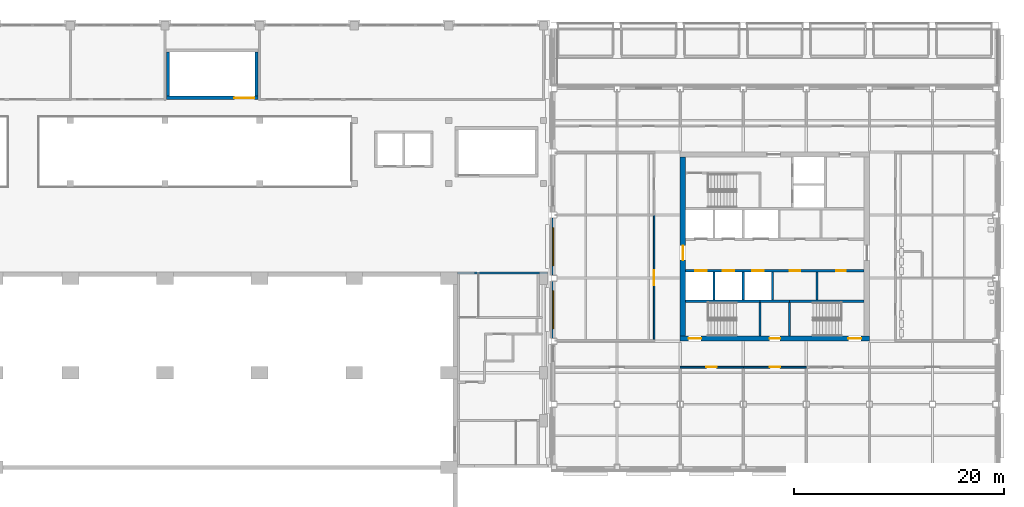
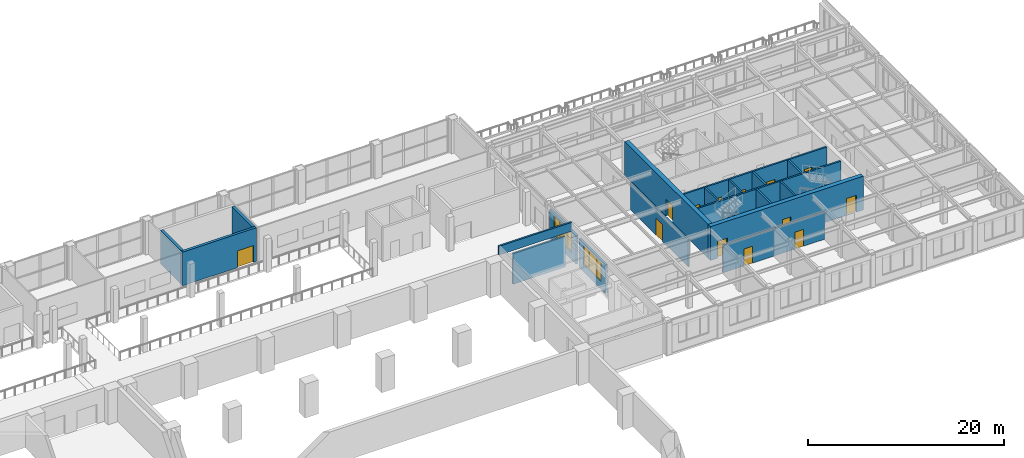
# One storey, part 23 of 39: 22 walls, 13 doors, 2 windows, 15 openings.
"""IFC4 building model written with IfcOpenShell, lengths in metres."""

from ifc_helpers import new_model, si_unit, direction, frame, frame_2d, origin, place, context, subcontext, project, spatial, polyline, rectangle, outline, extrude, material, layer, layer_set, type_object, element, fill, save


model = new_model("IFC4")

# Units and contexts
model_context = context("Model", 3, precision=1e-05, world=origin(), true_north=direction((0.0, 1.0)))
body_context = subcontext(model_context, "Body", "Model", "MODEL_VIEW")
ifc_project = project(units=[si_unit("LENGTHUNIT", "METRE"), si_unit("AREAUNIT", "SQUARE_METRE"), si_unit("VOLUMEUNIT", "CUBIC_METRE"), si_unit("PLANEANGLEUNIT", "RADIAN"), si_unit("MASSUNIT", "GRAM", prefix="KILO")], contexts=[model_context])

# Site, building, storey
site_placement = place(None, origin())
site = spatial("IfcSite", under=ifc_project, at=site_placement, CompositionType="ELEMENT")
building_placement = place(site_placement, origin())
building = spatial("IfcBuilding", under=site, at=building_placement, Name="Aravalli Gate Trade Fair Centre", CompositionType="ELEMENT")
storey_placement = place(building_placement, frame((0.0, 0.0, 15.0)))
storey = spatial("IfcBuildingStorey", under=building, at=storey_placement, Name="L03", CompositionType="ELEMENT", Elevation=15.0)

# Walls
ifc_material_1 = material(Name="Concrete M30", Category="concrete")
ifc_layer_1 = layer(ifc_material_1, 0.2099609375, Name="Reinforced concrete")
ifc_material_2 = material(Name="Terracotta cladding", Category="masonry")
ifc_layer_2 = layer(ifc_material_2, 0.0400390625, Name="Terracotta cladding")
ifc_layer_set_1 = layer_set([ifc_layer_1, ifc_layer_2], Name="Link external wall 250")
wall_type_1 = type_object("IfcWallType", Name="Link external wall 250", PredefinedType="SOLIDWALL", material=ifc_layer_set_1)
wall_1_placement = place(storey_placement, frame((152.449951171875, 109.5, 0.0), z_axis=(0.0, 0.0, 1.0), x_axis=(1.0, 0.0, 0.0)))
element("IfcWall", 1, at=wall_1_placement, inside=storey, type_object=wall_type_1, Name="Link wall N2 L03", PredefinedType="SOLIDWALL", context=body_context, shape_type="SweptSolid", body=[
    extrude(rectangle(XDim=6.150146484375, YDim=0.199951171875, at=frame_2d((3.0751953125, 0.0))), origin(), (0.0, 0.0, 1.0), 3.7900390625),
])
ifc_layer_3 = layer(ifc_material_1, 0.199951171875)
ifc_layer_set_2 = layer_set([ifc_layer_3], Name="Concrete M30")
wall_type_2 = type_object("IfcWallType", Name="Link roof parapet 200", PredefinedType="PARAPET", material=ifc_layer_set_2)
wall_2_placement = place(storey_placement, frame((150.800048828125, 109.5, 4.199951171875), z_axis=(0.0, 0.0, 1.0), x_axis=(1.0, 0.0, 0.0)))
element("IfcWall", 2, at=wall_2_placement, inside=storey, type_object=wall_type_2, Name="Link roof parapet N", PredefinedType="PARAPET", context=body_context, shape_type="SweptSolid", body=[
    extrude(rectangle(XDim=8.599853515625, YDim=0.199951171875, at=frame_2d((4.2998046875, 0.0))), origin(), (0.0, 0.0, 1.0), 1.10009765625),
])

# Wall, opening, door
ifc_material_3 = material(Name="Concrete M40", Category="concrete")
ifc_layer_4 = layer(ifc_material_3, 0.300048828125)
ifc_layer_set_3 = layer_set([ifc_layer_4], Name="Concrete M40")
wall_type_3 = type_object("IfcWallType", Name="RC core wall 300", PredefinedType="SHEAR", material=ifc_layer_set_3)
wall_3_placement = place(storey_placement, frame((123.14990234375, 126.14990234375, 0.0), z_axis=(0.0, 0.0, 1.0), x_axis=(1.0, 0.0, 0.0)))
wall_3 = element("IfcWall", 3, at=wall_3_placement, inside=storey, type_object=wall_type_3, Name="Core wall XES L03", PredefinedType="SHEAR", context=body_context, shape_type="SweptSolid", body=[
    extrude(rectangle(XDim=8.7001953125, YDim=0.300048828125, at=frame_2d((4.35009765625, 0.0))), origin(), (0.0, 0.0, 1.0), 4.199951171875),
])
opening_1_placement = place(wall_3_placement, frame((6.449951171875, 0.0, 0.0)))
opening_1 = element("IfcOpeningElement", 4, at=opening_1_placement, cuts=wall_3, Name="Opening C-L03-11", PredefinedType="OPENING", context=body_context, shape_type="SweptSolid", body=[
    extrude(rectangle(XDim=1.89990234375, YDim=2.10009765625, at=frame_2d((0.949951171875, 1.050048828125))), frame((0.0, 0.159912109375, 0.0), z_axis=(0.0, -1.0, 0.0), x_axis=(1.0, 0.0, 0.0)), (0.0, 0.0, 1.0), 0.320068359375),
])
ifc_material_4 = material(Name="Steel, fire rated", Category="steel")
door_type_1 = type_object("IfcDoorType", Name="Concourse stair door 1900 x 2100", OperationType="DOUBLE_DOOR_SINGLE_SWING", PredefinedType="NOTDEFINED", material=ifc_material_4)
door_1_placement = place(opening_1_placement, origin())
door_1 = element("IfcDoor", 5, at=door_1_placement, inside=storey, type_object=door_type_1, Name="Stair door XE L03", OperationType="DOUBLE_DOOR_SINGLE_SWING", OverallHeight=2.10009765625, OverallWidth=1.89990234375, PredefinedType="NOTDEFINED", context=body_context, shape_type="SweptSolid", body=[
    extrude(rectangle(XDim=1.89990234375, YDim=2.10009765625, at=frame_2d((0.949951171875, 1.050048828125))), frame((0.0, 0.02490234375, 0.0), z_axis=(0.0, -1.0, 0.0), x_axis=(1.0, 0.0, 0.0)), (0.0, 0.0, 1.0), 0.050048828125),
])
fill(opening_1, door_1)

# Walls
for number, where, z_axis, x_axis, name in (
    (6, (123.300048828125, 126.300048828125, 0.0), (0.0, 0.0, 1.0), (0.0, 1.0, 0.0), "Core wall XEW L03"),
    (7, (131.699951171875, 126.300048828125, 0.0), (0.0, 0.0, 1.0), (0.0, 1.0, 0.0), "Core wall XEE L03"),
):
    element("IfcWall", number, at=place(storey_placement, frame(where, z_axis=z_axis, x_axis=x_axis)), inside=storey, type_object=wall_type_3, Name=name, PredefinedType="SHEAR", context=body_context, shape_type="SweptSolid", body=[
        extrude(rectangle(XDim=4.199951171875, YDim=0.300048828125, at=frame_2d((2.10009765625, 0.0))), origin(), (0.0, 0.0, 1.0), 4.199951171875),
    ])
ifc_layer_5 = layer(ifc_material_1, 0.199951171875)
ifc_layer_set_4 = layer_set([ifc_layer_5], Name="Concrete M30")
wall_type_4 = type_object("IfcWallType", Name="Wing core internal wall 200 (EI 120, lift shaft)", PredefinedType="SOLIDWALL", material=ifc_layer_set_4)
wall_4_placement = place(storey_placement, frame((172.5, 106.800048828125, 0.0), z_axis=(0.0, 0.0, 1.0), x_axis=(1.0, 0.0, 0.0)))
element("IfcWall", 8, at=wall_4_placement, inside=storey, type_object=wall_type_4, Name="Core wall S-REAR-W L03", PredefinedType="SOLIDWALL", context=body_context, shape_type="SweptSolid", body=[
    extrude(rectangle(XDim=7.10009765625, YDim=0.199951171875, at=frame_2d((3.550048828125, 0.0))), origin(), (0.0, 0.0, 1.0), 4.0),
])
wall_5_placement = place(storey_placement, frame((179.60009765625, 106.800048828125, 0.0), z_axis=(0.0, 0.0, 1.0), x_axis=(1.0, 0.0, 0.0)))
element("IfcWall", 9, at=wall_5_placement, inside=storey, type_object=wall_type_4, Name="Core wall S-REAR-M L03", PredefinedType="SOLIDWALL", context=body_context, shape_type="SweptSolid", body=[
    extrude(rectangle(XDim=2.7998046875, YDim=0.199951171875, at=frame_2d((1.39990234375, 0.0))), origin(), (0.0, 0.0, 1.0), 4.0),
])
wall_6_placement = place(storey_placement, frame((182.39990234375, 106.800048828125, 0.0), z_axis=(0.0, 0.0, 1.0), x_axis=(1.0, 0.0, 0.0)))
element("IfcWall", 10, at=wall_6_placement, inside=storey, type_object=wall_type_4, Name="Core wall S-REAR-E L03", PredefinedType="SOLIDWALL", context=body_context, shape_type="SweptSolid", body=[
    extrude(rectangle(XDim=7.10009765625, YDim=0.199951171875, at=frame_2d((3.550048828125, 0.0))), origin(), (0.0, 0.0, 1.0), 4.0),
])
for number, where, z_axis, x_axis, name in (
    (11, (175.199951171875, 106.89990234375, 0.0), (0.0, 0.0, 1.0), (0.0, 1.0, 0.0), "Core wall SB-3.2 L03"),
    (12, (178.0, 106.89990234375, 0.0), (0.0, 0.0, 1.0), (0.0, 1.0, 0.0), "Core wall SB-6.0 L03"),
    (13, (180.800048828125, 106.89990234375, 0.0), (0.0, 0.0, 1.0), (0.0, 1.0, 0.0), "Core wall SB-8.8 L03"),
):
    element("IfcWall", number, at=place(storey_placement, frame(where, z_axis=z_axis, x_axis=x_axis)), inside=storey, type_object=wall_type_4, Name=name, PredefinedType="SOLIDWALL", context=body_context, shape_type="SweptSolid", body=[
        extrude(rectangle(XDim=2.7001953125, YDim=0.199951171875, at=frame_2d((1.35009765625, 0.0))), origin(), (0.0, 0.0, 1.0), 4.0),
    ])

# Wall, openings, doors
wall_7_placement = place(storey_placement, frame((172.5, 109.699951171875, 0.0), z_axis=(0.0, 0.0, 1.0), x_axis=(1.0, 0.0, 0.0)))
wall_7 = element("IfcWall", 14, at=wall_7_placement, inside=storey, type_object=wall_type_4, Name="Core wall S-FRONT L03", PredefinedType="SOLIDWALL", context=body_context, shape_type="SweptSolid", body=[
    extrude(rectangle(XDim=17.0, YDim=0.199951171875, at=frame_2d((8.5, 0.0))), origin(), (0.0, 0.0, 1.0), 4.0),
])
opening_2_placement = place(wall_7_placement, frame((0.949951171875, 0.0, 0.0)))
opening_2 = element("IfcOpeningElement", 15, at=opening_2_placement, cuts=wall_7, Name="Opening T-L03-111", PredefinedType="OPENING", context=body_context, shape_type="SweptSolid", body=[
    extrude(rectangle(XDim=1.10009765625, YDim=2.10009765625, at=frame_2d((0.550048828125, 1.050048828125))), frame((0.0, 0.10986328125, 0.0), z_axis=(0.0, -1.0, 0.0), x_axis=(1.0, 0.0, 0.0)), (0.0, 0.0, 1.0), 0.219970703125),
])
opening_3_placement = place(wall_7_placement, frame((3.550048828125, 0.0, 0.0)))
opening_3 = element("IfcOpeningElement", 16, at=opening_3_placement, cuts=wall_7, Name="Opening T-L03-112", PredefinedType="OPENING", context=body_context, shape_type="SweptSolid", body=[
    extrude(rectangle(XDim=1.10009765625, YDim=2.10009765625, at=frame_2d((0.550048828125, 1.050048828125))), frame((0.0, 0.10986328125, 0.0), z_axis=(0.0, -1.0, 0.0), x_axis=(1.0, 0.0, 0.0)), (0.0, 0.0, 1.0), 0.219970703125),
])
opening_4_placement = place(wall_7_placement, frame((6.35009765625, 0.0, 0.0)))
opening_4 = element("IfcOpeningElement", 17, at=opening_4_placement, cuts=wall_7, Name="Opening T-L03-113", PredefinedType="OPENING", context=body_context, shape_type="SweptSolid", body=[
    extrude(rectangle(XDim=1.10009765625, YDim=2.10009765625, at=frame_2d((0.550048828125, 1.050048828125))), frame((0.0, 0.10986328125, 0.0), z_axis=(0.0, -1.0, 0.0), x_axis=(1.0, 0.0, 0.0)), (0.0, 0.0, 1.0), 0.219970703125),
])
opening_5_placement = place(wall_7_placement, frame((9.89990234375, 0.0, 0.0)))
opening_5 = element("IfcOpeningElement", 18, at=opening_5_placement, cuts=wall_7, Name="Opening T-L03-114", PredefinedType="OPENING", context=body_context, shape_type="SweptSolid", body=[
    extrude(rectangle(XDim=1.0, YDim=2.10009765625, at=frame_2d((0.5, 1.050048828125))), frame((0.0, 0.10986328125, 0.0), z_axis=(0.0, -1.0, 0.0), x_axis=(1.0, 0.0, 0.0)), (0.0, 0.0, 1.0), 0.219970703125),
])
opening_6_placement = place(wall_7_placement, frame((14.35009765625, 0.0, 0.0)))
opening_6 = element("IfcOpeningElement", 19, at=opening_6_placement, cuts=wall_7, Name="Opening T-L03-115", PredefinedType="OPENING", context=body_context, shape_type="SweptSolid", body=[
    extrude(rectangle(XDim=0.89990234375, YDim=2.10009765625, at=frame_2d((0.449951171875, 1.050048828125))), frame((0.0, 0.10986328125, 0.0), z_axis=(0.0, -1.0, 0.0), x_axis=(1.0, 0.0, 0.0)), (0.0, 0.0, 1.0), 0.219970703125),
])
door_type_2 = type_object("IfcDoorType", Name="Wing fire door FD120 1000 x 2100", OperationType="SINGLE_SWING_LEFT", PredefinedType="DOOR", material=ifc_material_4)
door_2_placement = place(opening_5_placement, frame((1.0, 0.0, 0.0), z_axis=(0.0, 0.0, 1.0), x_axis=(-1.0, 0.0, 0.0)))
door_2 = element("IfcDoor", 20, at=door_2_placement, inside=storey, type_object=door_type_2, Name="Core door T-L03-114", OperationType="SINGLE_SWING_RIGHT", OverallHeight=2.10009765625, OverallWidth=1.0, PredefinedType="DOOR", context=body_context, shape_type="SweptSolid", body=[
    extrude(rectangle(XDim=1.0, YDim=2.10009765625, at=frame_2d((0.5, 1.050048828125))), frame((0.0, 0.02490234375, 0.0), z_axis=(0.0, -1.0, 0.0), x_axis=(1.0, 0.0, 0.0)), (0.0, 0.0, 1.0), 0.050048828125),
])
fill(opening_5, door_2)
door_type_3 = type_object("IfcDoorType", Name="Wing fire door FD120 900 x 2100", OperationType="SINGLE_SWING_LEFT", PredefinedType="DOOR", material=ifc_material_4)
door_3_placement = place(opening_6_placement, frame((0.89990234375, 0.0, 0.0), z_axis=(0.0, 0.0, 1.0), x_axis=(-1.0, 0.0, 0.0)))
door_3 = element("IfcDoor", 21, at=door_3_placement, inside=storey, type_object=door_type_3, Name="Core door T-L03-115", OperationType="SINGLE_SWING_LEFT", OverallHeight=2.10009765625, OverallWidth=0.89990234375, PredefinedType="DOOR", context=body_context, shape_type="SweptSolid", body=[
    extrude(rectangle(XDim=0.89990234375, YDim=2.10009765625, at=frame_2d((0.449951171875, 1.050048828125))), frame((0.0, 0.02490234375, 0.0), z_axis=(0.0, -1.0, 0.0), x_axis=(1.0, 0.0, 0.0)), (0.0, 0.0, 1.0), 0.050048828125),
])
fill(opening_6, door_3)
ifc_material_5 = material(Name="Elevator door panels")
door_type_4 = type_object("IfcDoorType", Name="Wing lift landing door 1100 x 2100", OperationType="SLIDING_TO_LEFT", PredefinedType="DOOR", material=ifc_material_5)
door_4_placement = place(opening_2_placement, origin())
door_4 = element("IfcDoor", 22, at=door_4_placement, inside=storey, type_object=door_type_4, Name="Landing door T-L03-111", OperationType="SLIDING_TO_LEFT", OverallHeight=2.10009765625, OverallWidth=1.10009765625, PredefinedType="DOOR", context=body_context, shape_type="SweptSolid", body=[
    extrude(rectangle(XDim=1.10009765625, YDim=2.10009765625, at=frame_2d((0.550048828125, 1.050048828125))), frame((0.0, 0.02490234375, 0.0), z_axis=(0.0, -1.0, 0.0), x_axis=(1.0, 0.0, 0.0)), (0.0, 0.0, 1.0), 0.050048828125),
])
fill(opening_2, door_4)
door_5_placement = place(opening_3_placement, origin())
door_5 = element("IfcDoor", 23, at=door_5_placement, inside=storey, type_object=door_type_4, Name="Landing door T-L03-112", OperationType="SLIDING_TO_LEFT", OverallHeight=2.10009765625, OverallWidth=1.10009765625, PredefinedType="DOOR", context=body_context, shape_type="SweptSolid", body=[
    extrude(rectangle(XDim=1.10009765625, YDim=2.10009765625, at=frame_2d((0.550048828125, 1.050048828125))), frame((0.0, 0.02490234375, 0.0), z_axis=(0.0, -1.0, 0.0), x_axis=(1.0, 0.0, 0.0)), (0.0, 0.0, 1.0), 0.050048828125),
])
fill(opening_3, door_5)
door_6_placement = place(opening_4_placement, origin())
door_6 = element("IfcDoor", 24, at=door_6_placement, inside=storey, type_object=door_type_4, Name="Landing door T-L03-113", OperationType="SLIDING_TO_LEFT", OverallHeight=2.10009765625, OverallWidth=1.10009765625, PredefinedType="DOOR", context=body_context, shape_type="SweptSolid", body=[
    extrude(rectangle(XDim=1.10009765625, YDim=2.10009765625, at=frame_2d((0.550048828125, 1.050048828125))), frame((0.0, 0.02490234375, 0.0), z_axis=(0.0, -1.0, 0.0), x_axis=(1.0, 0.0, 0.0)), (0.0, 0.0, 1.0), 0.050048828125),
])
fill(opening_4, door_6)

# Walls
ifc_material_6 = material(Name="Concrete block masonry", Category="masonry")
ifc_layer_6 = layer(ifc_material_6, 0.199951171875)
ifc_layer_set_5 = layer_set([ifc_layer_6], Name="Concrete block masonry")
wall_type_5 = type_object("IfcWallType", Name="Wing core internal wall 200 (EI 120, riser shaft)", PredefinedType="SOLIDWALL", material=ifc_layer_set_5)
wall_8_placement = place(storey_placement, frame((185.0, 106.89990234375, 0.0), z_axis=(0.0, 0.0, 1.0), x_axis=(0.0, 1.0, 0.0)))
element("IfcWall", 25, at=wall_8_placement, inside=storey, type_object=wall_type_5, Name="Core wall SB-13 L03", PredefinedType="SOLIDWALL", context=body_context, shape_type="SweptSolid", body=[
    extrude(rectangle(XDim=2.7001953125, YDim=0.199951171875, at=frame_2d((1.35009765625, 0.0))), origin(), (0.0, 0.0, 1.0), 4.0),
])
ifc_layer_7 = layer(ifc_material_1, 0.199951171875)
ifc_layer_set_6 = layer_set([ifc_layer_7], Name="Concrete M30")
wall_type_6 = type_object("IfcWallType", Name="Wing core internal wall 200 (EI 120, stair enclosure)", PredefinedType="SOLIDWALL", material=ifc_layer_set_6)
for number, where, z_axis, x_axis, name in (
    (26, (179.60009765625, 103.5, 0.0), (0.0, 0.0, 1.0), (0.0, 1.0, 0.0), "Core wall S-AB L03"),
    (27, (182.39990234375, 103.5, 0.0), (0.0, 0.0, 1.0), (0.0, 1.0, 0.0), "Core wall S-BC L03"),
):
    element("IfcWall", number, at=place(storey_placement, frame(where, z_axis=z_axis, x_axis=x_axis)), inside=storey, type_object=wall_type_6, Name=name, PredefinedType="SOLIDWALL", context=body_context, shape_type="SweptSolid", body=[
        extrude(rectangle(XDim=3.199951171875, YDim=0.199951171875, at=frame_2d((1.60009765625, 0.0))), origin(), (0.0, 0.0, 1.0), 4.0),
    ])

# Wall, openings, doors
ifc_material_7 = material(Name="Concrete M50", Category="concrete")
ifc_layer_8 = layer(ifc_material_7, 0.5)
ifc_layer_set_7 = layer_set([ifc_layer_8], Name="Concrete M50")
wall_type_7 = type_object("IfcWallType", Name="Wing core shear wall 500", PredefinedType="SHEAR", material=ifc_layer_set_7)
wall_9_placement = place(storey_placement, frame((172.0, 103.25, 0.0), z_axis=(0.0, 0.0, 1.0), x_axis=(1.0, 0.0, 0.0)))
wall_9 = element("IfcWall", 28, at=wall_9_placement, inside=storey, type_object=wall_type_7, Name="Core wall S L03", PredefinedType="SHEAR", context=body_context, shape_type="SweptSolid", body=[
    extrude(rectangle(XDim=18.0, YDim=0.5, at=frame_2d((9.0, 0.0))), origin(), (0.0, 0.0, 1.0), 4.199951171875),
])
opening_7_placement = place(wall_9_placement, frame((8.5, 0.0, 0.0)))
opening_7 = element("IfcOpeningElement", 29, at=opening_7_placement, cuts=wall_9, Name="Opening T-L03-102", PredefinedType="OPENING", context=body_context, shape_type="SweptSolid", body=[
    extrude(rectangle(XDim=1.0, YDim=2.10009765625, at=frame_2d((0.5, 1.050048828125))), frame((0.0, 0.260009765625, 0.0), z_axis=(0.0, -1.0, 0.0), x_axis=(1.0, 0.0, 0.0)), (0.0, 0.0, 1.0), 0.52001953125),
])
opening_8_placement = place(wall_9_placement, frame((0.800048828125, 0.0, 0.0)))
opening_8 = element("IfcOpeningElement", 30, at=opening_8_placement, cuts=wall_9, Name="Opening T-L03-101", PredefinedType="OPENING", context=body_context, shape_type="SweptSolid", body=[
    extrude(rectangle(XDim=1.199951171875, YDim=2.10009765625, at=frame_2d((0.60009765625, 1.050048828125))), frame((0.0, 0.260009765625, 0.0), z_axis=(0.0, -1.0, 0.0), x_axis=(1.0, 0.0, 0.0)), (0.0, 0.0, 1.0), 0.52001953125),
])
opening_9_placement = place(wall_9_placement, frame((16.0, 0.0, 0.0)))
opening_9 = element("IfcOpeningElement", 31, at=opening_9_placement, cuts=wall_9, Name="Opening T-L03-103", PredefinedType="OPENING", context=body_context, shape_type="SweptSolid", body=[
    extrude(rectangle(XDim=1.199951171875, YDim=2.10009765625, at=frame_2d((0.60009765625, 1.050048828125))), frame((0.0, 0.260009765625, 0.0), z_axis=(0.0, -1.0, 0.0), x_axis=(1.0, 0.0, 0.0)), (0.0, 0.0, 1.0), 0.52001953125),
])
door_7_placement = place(opening_7_placement, origin())
door_7 = element("IfcDoor", 32, at=door_7_placement, inside=storey, type_object=door_type_2, Name="Core door T-L03-102", OperationType="SINGLE_SWING_LEFT", OverallHeight=2.10009765625, OverallWidth=1.0, PredefinedType="DOOR", context=body_context, shape_type="SweptSolid", body=[
    extrude(rectangle(XDim=1.0, YDim=2.10009765625, at=frame_2d((0.5, 1.050048828125))), frame((0.0, 0.02490234375, 0.0), z_axis=(0.0, -1.0, 0.0), x_axis=(1.0, 0.0, 0.0)), (0.0, 0.0, 1.0), 0.050048828125),
])
fill(opening_7, door_7)
door_type_5 = type_object("IfcDoorType", Name="Wing fire door FD120 1200 x 2100", OperationType="SINGLE_SWING_LEFT", PredefinedType="DOOR", material=ifc_material_4)
door_8_placement = place(opening_8_placement, origin())
door_8 = element("IfcDoor", 33, at=door_8_placement, inside=storey, type_object=door_type_5, Name="Core door T-L03-101", OperationType="SINGLE_SWING_LEFT", OverallHeight=2.10009765625, OverallWidth=1.199951171875, PredefinedType="DOOR", context=body_context, shape_type="SweptSolid", body=[
    extrude(rectangle(XDim=1.199951171875, YDim=2.10009765625, at=frame_2d((0.60009765625, 1.050048828125))), frame((0.0, 0.02490234375, 0.0), z_axis=(0.0, -1.0, 0.0), x_axis=(1.0, 0.0, 0.0)), (0.0, 0.0, 1.0), 0.050048828125),
])
fill(opening_8, door_8)
door_9_placement = place(opening_9_placement, origin())
door_9 = element("IfcDoor", 34, at=door_9_placement, inside=storey, type_object=door_type_5, Name="Core door T-L03-103", OperationType="SINGLE_SWING_RIGHT", OverallHeight=2.10009765625, OverallWidth=1.199951171875, PredefinedType="DOOR", context=body_context, shape_type="SweptSolid", body=[
    extrude(rectangle(XDim=1.199951171875, YDim=2.10009765625, at=frame_2d((0.60009765625, 1.050048828125))), frame((0.0, 0.02490234375, 0.0), z_axis=(0.0, -1.0, 0.0), x_axis=(1.0, 0.0, 0.0)), (0.0, 0.0, 1.0), 0.050048828125),
])
fill(opening_9, door_9)

# Wall, opening, door
wall_10_placement = place(storey_placement, frame((172.25, 103.5, 0.0), z_axis=(0.0, 0.0, 1.0), x_axis=(0.0, 1.0, 0.0)))
wall_10 = element("IfcWall", 35, at=wall_10_placement, inside=storey, type_object=wall_type_7, Name="Core wall W L03", PredefinedType="SHEAR", context=body_context, shape_type="SweptSolid", body=[
    extrude(rectangle(XDim=17.0, YDim=0.5, at=frame_2d((8.5, 0.0))), origin(), (0.0, 0.0, 1.0), 4.199951171875),
])
opening_10_placement = place(wall_10_placement, frame((7.199951171875, 0.0, 0.0)))
opening_10 = element("IfcOpeningElement", 36, at=opening_10_placement, cuts=wall_10, Name="Opening T-L03-106", PredefinedType="OPENING", context=body_context, shape_type="SweptSolid", body=[
    extrude(rectangle(XDim=1.39990234375, YDim=2.10009765625, at=frame_2d((0.699951171875, 1.050048828125))), frame((0.0, 0.260009765625, 0.0), z_axis=(0.0, -1.0, 0.0), x_axis=(1.0, 0.0, 0.0)), (0.0, 0.0, 1.0), 0.52001953125),
])
door_type_6 = type_object("IfcDoorType", Name="Wing fire door FD120 1400 x 2100", OperationType="DOUBLE_DOOR_SINGLE_SWING", PredefinedType="DOOR", material=ifc_material_4)
door_10_placement = place(opening_10_placement, origin())
door_10 = element("IfcDoor", 37, at=door_10_placement, inside=storey, type_object=door_type_6, Name="Core door T-L03-106", OperationType="DOUBLE_DOOR_SINGLE_SWING", OverallHeight=2.10009765625, OverallWidth=1.39990234375, PredefinedType="DOOR", context=body_context, shape_type="SweptSolid", body=[
    extrude(rectangle(XDim=1.39990234375, YDim=2.10009765625, at=frame_2d((0.699951171875, 1.050048828125))), frame((0.0, 0.02490234375, 0.0), z_axis=(0.0, -1.0, 0.0), x_axis=(1.0, 0.0, 0.0)), (0.0, 0.0, 1.0), 0.050048828125),
])
fill(opening_10, door_10)

ifc_material_8 = material(Name="Blockwork with fire-rated lining", Category="masonry")
ifc_layer_9 = layer(ifc_material_8, 0.14990234375)
ifc_layer_set_8 = layer_set([ifc_layer_9], Name="Blockwork with fire-rated lining")
wall_type_8 = type_object("IfcWallType", Name="Wing partition 150 (EI 60, corridor wall)", PredefinedType="PARTITIONING", material=ifc_layer_set_8)
wall_11_placement = place(storey_placement, frame((172.0, 100.52490234375, 0.0), z_axis=(0.0, 0.0, 1.0), x_axis=(1.0, 0.0, 0.0)))
wall_11 = element("IfcWall", 38, at=wall_11_placement, inside=storey, type_object=wall_type_8, Name="Partition SW2 L03", PredefinedType="PARTITIONING", context=body_context, shape_type="SweptSolid", body=[
    extrude(rectangle(XDim=6.0, YDim=0.14990234375, at=frame_2d((3.0, 0.0))), origin(), (0.0, 0.0, 1.0), 3.39990234375),
])
opening_11_placement = place(wall_11_placement, frame((2.5, 0.0, 0.0)))
opening_11 = element("IfcOpeningElement", 39, at=opening_11_placement, cuts=wall_11, Name="Opening T-L03-142", PredefinedType="OPENING", context=body_context, shape_type="SweptSolid", body=[
    extrude(rectangle(XDim=1.0, YDim=2.10009765625, at=frame_2d((0.5, 1.050048828125))), frame((0.0, 0.0849609375, 0.0), z_axis=(0.0, -1.0, 0.0), x_axis=(1.0, 0.0, 0.0)), (0.0, 0.0, 1.0), 0.169921875),
])
door_type_7 = type_object("IfcDoorType", Name="Wing fire door FD60 1000 x 2100", OperationType="SINGLE_SWING_LEFT", PredefinedType="DOOR", material=ifc_material_4)
door_11_placement = place(opening_11_placement, frame((1.0, 0.0, 0.0), z_axis=(0.0, 0.0, 1.0), x_axis=(-1.0, 0.0, 0.0)))
door_11 = element("IfcDoor", 40, at=door_11_placement, inside=storey, type_object=door_type_7, Name="Door T-L03-142", OperationType="SINGLE_SWING_LEFT", OverallHeight=2.10009765625, OverallWidth=1.0, PredefinedType="DOOR", context=body_context, shape_type="SweptSolid", body=[
    extrude(rectangle(XDim=1.0, YDim=2.10009765625, at=frame_2d((0.5, 1.050048828125))), frame((0.0, 0.02490234375, 0.0), z_axis=(0.0, -1.0, 0.0), x_axis=(1.0, 0.0, 0.0)), (0.0, 0.0, 1.0), 0.050048828125),
])
fill(opening_11, door_11)

wall_12_placement = place(storey_placement, frame((178.0, 100.52490234375, 0.0), z_axis=(0.0, 0.0, 1.0), x_axis=(1.0, 0.0, 0.0)))
wall_12 = element("IfcWall", 41, at=wall_12_placement, inside=storey, type_object=wall_type_8, Name="Partition SW3 L03", PredefinedType="PARTITIONING", context=body_context, shape_type="SweptSolid", body=[
    extrude(rectangle(XDim=6.0, YDim=0.14990234375, at=frame_2d((3.0, 0.0))), origin(), (0.0, 0.0, 1.0), 3.39990234375),
])
opening_12_placement = place(wall_12_placement, frame((2.5, 0.0, 0.0)))
opening_12 = element("IfcOpeningElement", 42, at=opening_12_placement, cuts=wall_12, Name="Opening T-L03-143", PredefinedType="OPENING", context=body_context, shape_type="SweptSolid", body=[
    extrude(rectangle(XDim=1.0, YDim=2.10009765625, at=frame_2d((0.5, 1.050048828125))), frame((0.0, 0.0849609375, 0.0), z_axis=(0.0, -1.0, 0.0), x_axis=(1.0, 0.0, 0.0)), (0.0, 0.0, 1.0), 0.169921875),
])
door_12_placement = place(opening_12_placement, frame((1.0, 0.0, 0.0), z_axis=(0.0, 0.0, 1.0), x_axis=(-1.0, 0.0, 0.0)))
door_12 = element("IfcDoor", 43, at=door_12_placement, inside=storey, type_object=door_type_7, Name="Door T-L03-143", OperationType="SINGLE_SWING_RIGHT", OverallHeight=2.10009765625, OverallWidth=1.0, PredefinedType="DOOR", context=body_context, shape_type="SweptSolid", body=[
    extrude(rectangle(XDim=1.0, YDim=2.10009765625, at=frame_2d((0.5, 1.050048828125))), frame((0.0, 0.02490234375, 0.0), z_axis=(0.0, -1.0, 0.0), x_axis=(1.0, 0.0, 0.0)), (0.0, 0.0, 1.0), 0.050048828125),
])
fill(opening_12, door_12)

wall_13_placement = place(storey_placement, frame((169.52490234375, 103.14990234375, 0.0), z_axis=(0.0, 0.0, 1.0), x_axis=(0.0, 1.0, 0.0)))
wall_13 = element("IfcWall", 44, at=wall_13_placement, inside=storey, type_object=wall_type_8, Name="Partition WW1 L03", PredefinedType="PARTITIONING", context=body_context, shape_type="SweptSolid", body=[
    extrude(rectangle(XDim=11.85009765625, YDim=0.14990234375, at=frame_2d((5.925048828125, 0.0))), origin(), (0.0, 0.0, 1.0), 3.39990234375),
])
opening_13_placement = place(wall_13_placement, frame((5.1875, 0.0, 0.0)))
opening_13 = element("IfcOpeningElement", 45, at=opening_13_placement, cuts=wall_13, Name="Opening T-L03-153", PredefinedType="OPENING", context=body_context, shape_type="SweptSolid", body=[
    extrude(rectangle(XDim=1.39990234375, YDim=2.10009765625, at=frame_2d((0.699951171875, 1.050048828125))), frame((0.0, 0.0849609375, 0.0), z_axis=(0.0, -1.0, 0.0), x_axis=(1.0, 0.0, 0.0)), (0.0, 0.0, 1.0), 0.169921875),
])
door_type_8 = type_object("IfcDoorType", Name="Wing fire door FD60 1400 x 2100", OperationType="DOUBLE_DOOR_SINGLE_SWING", PredefinedType="DOOR", material=ifc_material_4)
door_13_placement = place(opening_13_placement, origin())
door_13 = element("IfcDoor", 46, at=door_13_placement, inside=storey, type_object=door_type_8, Name="Door T-L03-153", OperationType="DOUBLE_DOOR_SINGLE_SWING", OverallHeight=2.10009765625, OverallWidth=1.39990234375, PredefinedType="DOOR", context=body_context, shape_type="SweptSolid", body=[
    extrude(rectangle(XDim=1.39990234375, YDim=2.10009765625, at=frame_2d((0.699951171875, 1.050048828125))), frame((0.0, 0.02490234375, 0.0), z_axis=(0.0, -1.0, 0.0), x_axis=(1.0, 0.0, 0.0)), (0.0, 0.0, 1.0), 0.050048828125),
])
fill(opening_13, door_13)

# Wall, opening, window
ifc_layer_10 = layer(ifc_material_6, 0.2099609375, Name="Block masonry")
ifc_layer_11 = layer(ifc_material_2, 0.0400390625, Name="Terracotta cladding")
ifc_layer_set_9 = layer_set([ifc_layer_10, ifc_layer_11], Name="Wing west closing wall 250")
wall_type_9 = type_object("IfcWallType", Name="Wing west closing wall 250", PredefinedType="SOLIDWALL", material=ifc_layer_set_9)
wall_14_placement = place(storey_placement, frame((159.925048828125, 103.27490234375, 0.0), z_axis=(0.0, 0.0, 1.0), x_axis=(0.0, 1.0, 0.0)))
wall_14 = element("IfcWall", 47, at=wall_14_placement, inside=storey, type_object=wall_type_9, Name="Facade wall W2 L03", PredefinedType="SOLIDWALL", context=body_context, shape_type="SweptSolid", body=[
    extrude(rectangle(XDim=5.4501953125, YDim=0.25, at=frame_2d((2.72509765625, 0.0))), origin(), (0.0, 0.0, 1.0), 3.550048828125),
])
opening_14_placement = place(wall_14_placement, frame((0.925048828125, 0.0, 0.89990234375)))
opening_14 = element("IfcOpeningElement", 48, at=opening_14_placement, cuts=wall_14, Name="Opening TWN1", PredefinedType="OPENING", context=body_context, shape_type="SweptSolid", body=[
    extrude(rectangle(XDim=3.60009765625, YDim=2.39990234375, at=frame_2d((1.800048828125, 1.199951171875))), frame((0.0, 0.135009765625, 0.0), z_axis=(0.0, -1.0, 0.0), x_axis=(1.0, 0.0, 0.0)), (0.0, 0.0, 1.0), 0.27001953125),
])
ifc_material_9 = material(Name="Aluminium and glass", Category="aluminium")
window_type = type_object("IfcWindowType", Name="Wing chicago window 3600 x 2400", PartitioningType="TRIPLE_PANEL_VERTICAL", PredefinedType="WINDOW", material=ifc_material_9)
window_1_placement = place(opening_14_placement, origin())
window_1 = element("IfcWindow", 49, at=window_1_placement, inside=storey, type_object=window_type, Name="Window W2 L03", OverallHeight=2.39990234375, OverallWidth=3.60009765625, PartitioningType="TRIPLE_PANEL_VERTICAL", PredefinedType="WINDOW", context=body_context, shape_type="SweptSolid", body=[
    extrude(outline(polyline([(0.0, 0.0), (3.60009765625, 0.0), (3.60009765625, 2.39990234375), (0.0, 2.39990234375), (0.0, 0.0)]), holes=[polyline([(0.06005859375, 0.06005859375), (0.9599609375, 0.06005859375), (0.9599609375, 2.33984375), (0.06005859375, 2.33984375), (0.06005859375, 0.06005859375)]), polyline([(1.06005859375, 0.06005859375), (2.539794921875, 0.06005859375), (2.539794921875, 2.33984375), (1.06005859375, 2.33984375), (1.06005859375, 0.06005859375)]), polyline([(2.639892578125, 0.06005859375), (3.539794921875, 0.06005859375), (3.539794921875, 2.33984375), (2.639892578125, 2.33984375), (2.639892578125, 0.06005859375)])]), frame((0.0, 0.030029296875, 0.0), z_axis=(0.0, -1.0, 0.0), x_axis=(1.0, 0.0, 0.0)), (0.0, 0.0, 1.0), 0.06005859375),
    extrude(rectangle(XDim=0.923828125, YDim=2.3037109375, at=frame_2d((0.510009765625, 1.199951171875))), frame((0.0, 0.010009765625, 0.0), z_axis=(0.0, -1.0, 0.0), x_axis=(1.0, 0.0, 0.0)), (0.0, 0.0, 1.0), 0.02001953125),
    extrude(rectangle(XDim=1.503662109375, YDim=2.3037109375, at=frame_2d((1.7998046875, 1.199951171875))), frame((0.0, 0.010009765625, 0.0), z_axis=(0.0, -1.0, 0.0), x_axis=(1.0, 0.0, 0.0)), (0.0, 0.0, 1.0), 0.02001953125),
    extrude(rectangle(XDim=0.923828125, YDim=2.3037109375, at=frame_2d((3.08984375, 1.199951171875))), frame((0.0, 0.010009765625, 0.0), z_axis=(0.0, -1.0, 0.0), x_axis=(1.0, 0.0, 0.0)), (0.0, 0.0, 1.0), 0.02001953125),
])
fill(opening_14, window_1)

wall_15_placement = place(storey_placement, frame((159.925048828125, 109.27490234375, 0.0), z_axis=(0.0, 0.0, 1.0), x_axis=(0.0, 1.0, 0.0)))
wall_15 = element("IfcWall", 50, at=wall_15_placement, inside=storey, type_object=wall_type_9, Name="Facade wall W3 L03", PredefinedType="SOLIDWALL", context=body_context, shape_type="SweptSolid", body=[
    extrude(rectangle(XDim=5.4501953125, YDim=0.25, at=frame_2d((2.72509765625, 0.0))), origin(), (0.0, 0.0, 1.0), 3.550048828125),
])
opening_15_placement = place(wall_15_placement, frame((0.925048828125, 0.0, 0.89990234375)))
opening_15 = element("IfcOpeningElement", 51, at=opening_15_placement, cuts=wall_15, Name="Opening TWN1", PredefinedType="OPENING", context=body_context, shape_type="SweptSolid", body=[
    extrude(rectangle(XDim=3.60009765625, YDim=2.39990234375, at=frame_2d((1.800048828125, 1.199951171875))), frame((0.0, 0.135009765625, 0.0), z_axis=(0.0, -1.0, 0.0), x_axis=(1.0, 0.0, 0.0)), (0.0, 0.0, 1.0), 0.27001953125),
])
window_2_placement = place(opening_15_placement, origin())
window_2 = element("IfcWindow", 52, at=window_2_placement, inside=storey, type_object=window_type, Name="Window W3 L03", OverallHeight=2.39990234375, OverallWidth=3.60009765625, PartitioningType="TRIPLE_PANEL_VERTICAL", PredefinedType="WINDOW", context=body_context, shape_type="SweptSolid", body=[
    extrude(outline(polyline([(0.0, 0.0), (3.60009765625, 0.0), (3.60009765625, 2.39990234375), (0.0, 2.39990234375), (0.0, 0.0)]), holes=[polyline([(0.06005859375, 0.06005859375), (0.9599609375, 0.06005859375), (0.9599609375, 2.33984375), (0.06005859375, 2.33984375), (0.06005859375, 0.06005859375)]), polyline([(1.06005859375, 0.06005859375), (2.539794921875, 0.06005859375), (2.539794921875, 2.33984375), (1.06005859375, 2.33984375), (1.06005859375, 0.06005859375)]), polyline([(2.639892578125, 0.06005859375), (3.539794921875, 0.06005859375), (3.539794921875, 2.33984375), (2.639892578125, 2.33984375), (2.639892578125, 0.06005859375)])]), frame((0.0, 0.030029296875, 0.0), z_axis=(0.0, -1.0, 0.0), x_axis=(1.0, 0.0, 0.0)), (0.0, 0.0, 1.0), 0.06005859375),
    extrude(rectangle(XDim=0.923828125, YDim=2.3037109375, at=frame_2d((0.510009765625, 1.199951171875))), frame((0.0, 0.010009765625, 0.0), z_axis=(0.0, -1.0, 0.0), x_axis=(1.0, 0.0, 0.0)), (0.0, 0.0, 1.0), 0.02001953125),
    extrude(rectangle(XDim=1.503662109375, YDim=2.3037109375, at=frame_2d((1.7998046875, 1.199951171875))), frame((0.0, 0.010009765625, 0.0), z_axis=(0.0, -1.0, 0.0), x_axis=(1.0, 0.0, 0.0)), (0.0, 0.0, 1.0), 0.02001953125),
    extrude(rectangle(XDim=0.923828125, YDim=2.3037109375, at=frame_2d((3.08984375, 1.199951171875))), frame((0.0, 0.010009765625, 0.0), z_axis=(0.0, -1.0, 0.0), x_axis=(1.0, 0.0, 0.0)), (0.0, 0.0, 1.0), 0.02001953125),
])
fill(opening_15, window_2)

save(model, "model.ifc")
